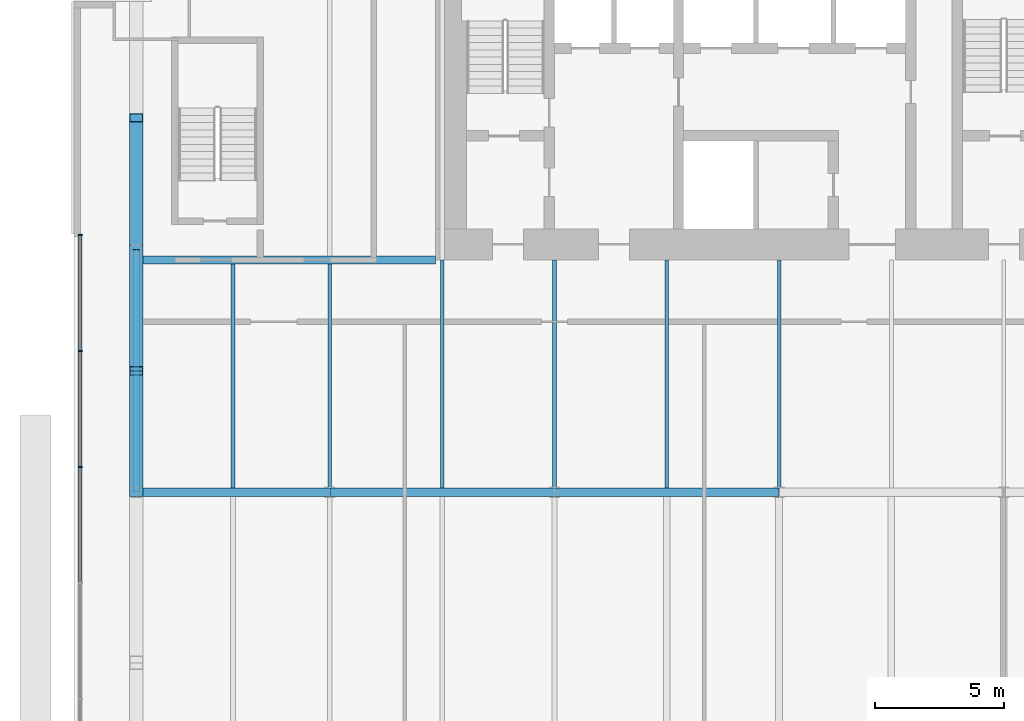
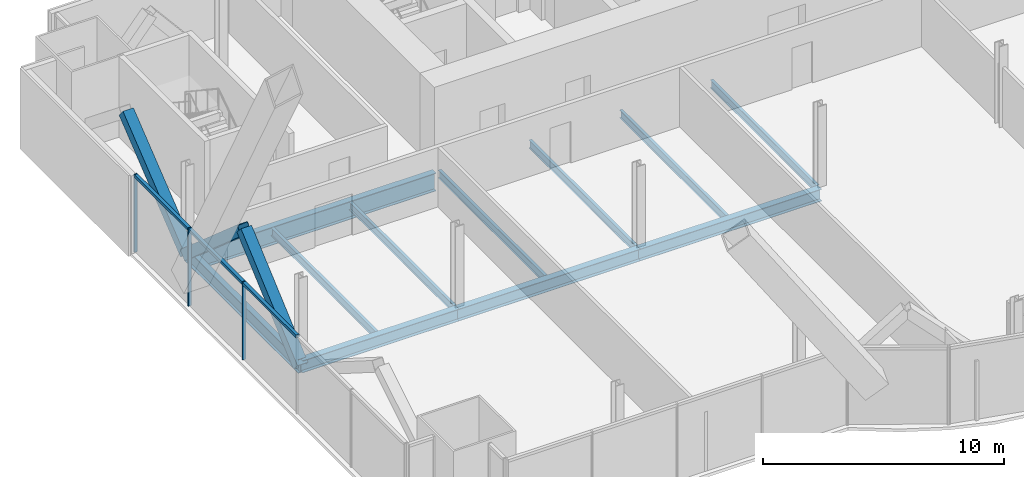
# One storey, part 7 of 23: 11 beams, 9 members, 1 element without a shape of its own.
"""IFC4 building model written with IfcOpenShell, lengths in metres."""

from ifc_helpers import new_model, si_unit, direction, frame, origin, origin_2d, place, context, subcontext, project, spatial, rectangle, hollow_rectangle, i_section, extrude, material, material_profile, profile_set, type_object, element, aggregate, save


model = new_model("IFC4")

# Units and contexts
model_context = context("Model", 3, precision=1e-05, world=origin(), true_north=direction((0.0, 1.0)))
body_context = subcontext(model_context, "Body", "Model", "MODEL_VIEW")
ifc_project = project(units=[si_unit("LENGTHUNIT", "METRE"), si_unit("AREAUNIT", "SQUARE_METRE"), si_unit("VOLUMEUNIT", "CUBIC_METRE"), si_unit("PLANEANGLEUNIT", "RADIAN"), si_unit("MASSUNIT", "GRAM", prefix="KILO")], contexts=[model_context])

# Site, building, storey
site_placement = place(None, origin())
site = spatial("IfcSite", under=ifc_project, at=site_placement, CompositionType="ELEMENT")
building_placement = place(site_placement, origin())
building = spatial("IfcBuilding", under=site, at=building_placement, Name="Bicima Exchange Tower", CompositionType="ELEMENT")
storey_placement = place(building_placement, frame((0.0, 0.0, 110.39990234375)))
storey = spatial("IfcBuildingStorey", under=building, at=storey_placement, Name="L23", CompositionType="ELEMENT", Elevation=110.39990234375)

# Beam
ifc_material_1 = material(Name="Steel ASTM A992 Gr 50", Category="steel")
ifc_material_profile_1 = material_profile(ifc_material_1, i_section(OverallWidth=0.3046875, OverallDepth=0.911865234375, WebThickness=0.015869140625, FlangeThickness=0.02392578125, at=origin_2d()))
ifc_profile_set_1 = profile_set([ifc_material_profile_1], Name="Steel ASTM A992 Gr 50")
beam_type_1 = type_object("IfcBeamType", Name="Core-line girder W36x150", PredefinedType="BEAM", material=ifc_profile_set_1)
beam_1_placement = place(storey_placement, frame((-22.0, -13.0, -0.605712890625), z_axis=(-1.0, 0.0, 0.0), x_axis=(0.0, -1.0, 0.0)))
element("IfcBeam", 1, at=beam_1_placement, inside=storey, type_object=beam_type_1, Name="Core-line girder", PredefinedType="BEAM", context=body_context, shape_type="SweptSolid", body=[
    extrude(i_section(OverallWidth=0.3046875, OverallDepth=0.911865234375, WebThickness=0.015869140625, FlangeThickness=0.02392578125, at=origin_2d()), origin(), (0.0, 0.0, 1.0), 11.60009765625),
])

# Curtain wall, members
ifc_material_2 = material(Name="Anodised bronze aluminium", Category="aluminium")
curtain_wall_type = type_object("IfcCurtainWallType", Name="End face glass wall", PredefinedType="NOTDEFINED", material=ifc_material_2)
curtain_wall_placement = place(storey_placement, origin())
curtain_wall = element("IfcCurtainWall", 2, at=curtain_wall_placement, inside=storey, type_object=curtain_wall_type, Name="End face glass wall L23 run 2", PredefinedType="NOTDEFINED")
ifc_material_profile_2 = material_profile(ifc_material_2, rectangle(XDim=0.159912109375, YDim=0.06005859375, at=origin_2d()))
ifc_profile_set_2 = profile_set([ifc_material_profile_2], Name="Anodised bronze aluminium")
member_type_1 = type_object("IfcMemberType", Name="End face glass wall mullion 60 x 160", PredefinedType="MULLION", material=ifc_profile_set_2)
member_1_placement = place(storey_placement, frame((-35.77001953125, -12.030029296875, 0.0), z_axis=(0.0, 0.0, 1.0), x_axis=(1.0, 0.0, 0.0)))
member_1 = element("IfcMember", 3, at=member_1_placement, type_object=member_type_1, Name="End face glass wall mullion 1", PredefinedType="MULLION", context=body_context, shape_type="SweptSolid", body=[
    extrude(rectangle(XDim=0.159912109375, YDim=0.06005859375, at=origin_2d()), origin(), (0.0, 0.0, 1.0), 3.9501953125),
])
member_2_placement = place(storey_placement, frame((-35.77001953125, -16.5263671875, 0.0), z_axis=(0.0, 0.0, 1.0), x_axis=(1.0, 0.0, 0.0)))
member_2 = element("IfcMember", 4, at=member_2_placement, type_object=member_type_1, Name="End face glass wall mullion 2", PredefinedType="MULLION", context=body_context, shape_type="SweptSolid", body=[
    extrude(rectangle(XDim=0.159912109375, YDim=0.06005859375, at=origin_2d()), origin(), (0.0, 0.0, 1.0), 3.9501953125),
])
member_3_placement = place(storey_placement, frame((-35.77001953125, -21.022705078125, 0.0), z_axis=(0.0, 0.0, 1.0), x_axis=(1.0, 0.0, 0.0)))
member_3 = element("IfcMember", 5, at=member_3_placement, type_object=member_type_1, Name="End face glass wall mullion 3", PredefinedType="MULLION", context=body_context, shape_type="SweptSolid", body=[
    extrude(rectangle(XDim=0.159912109375, YDim=0.06005859375, at=origin_2d()), origin(), (0.0, 0.0, 1.0), 3.9501953125),
])
ifc_material_profile_3 = material_profile(ifc_material_2, rectangle(XDim=0.159912109375, YDim=0.139892578125, at=origin_2d()))
ifc_profile_set_3 = profile_set([ifc_material_profile_3], Name="Anodised bronze aluminium")
member_type_2 = type_object("IfcMemberType", Name="End face glass wall transom 140 x 160", PredefinedType="USERDEFINED", material=ifc_profile_set_3)
member_4_placement = place(storey_placement, frame((-35.77001953125, -12.06005859375, 3.880126953125), z_axis=(0.0, -1.0, 0.0), x_axis=(1.0, 0.0, 0.0)))
member_4 = element("IfcMember", 6, at=member_4_placement, type_object=member_type_2, Name="End face glass wall transom 1.1", ObjectType="TRANSOM", PredefinedType="USERDEFINED", context=body_context, shape_type="SweptSolid", body=[
    extrude(rectangle(XDim=0.159912109375, YDim=0.139892578125, at=origin_2d()), origin(), (0.0, 0.0, 1.0), 4.436279296875),
])
member_5_placement = place(storey_placement, frame((-35.77001953125, -16.556396484375, 3.880126953125), z_axis=(0.0, -1.0, 0.0), x_axis=(1.0, 0.0, 0.0)))
member_5 = element("IfcMember", 7, at=member_5_placement, type_object=member_type_2, Name="End face glass wall transom 2.1", ObjectType="TRANSOM", PredefinedType="USERDEFINED", context=body_context, shape_type="SweptSolid", body=[
    extrude(rectangle(XDim=0.159912109375, YDim=0.139892578125, at=origin_2d()), origin(), (0.0, 0.0, 1.0), 4.4365234375),
])
member_6_placement = place(storey_placement, frame((-35.77001953125, -21.052734375, 3.880126953125), z_axis=(0.0, -1.0, 0.0), x_axis=(1.0, 0.0, 0.0)))
member_6 = element("IfcMember", 8, at=member_6_placement, type_object=member_type_2, Name="End face glass wall transom 3.1", ObjectType="TRANSOM", PredefinedType="USERDEFINED", context=body_context, shape_type="SweptSolid", body=[
    extrude(rectangle(XDim=0.159912109375, YDim=0.139892578125, at=origin_2d()), origin(), (0.0, 0.0, 1.0), 4.4365234375),
])
aggregate(curtain_wall, [member_1, member_2, member_3, member_4, member_5, member_6])

# Beams
ifc_material_profile_4 = material_profile(ifc_material_1, i_section(OverallWidth=0.256591796875, OverallDepth=0.693359375, WebThickness=0.014404296875, FlangeThickness=0.023681640625, at=origin_2d()))
ifc_profile_set_4 = profile_set([ifc_material_profile_4], Name="Steel ASTM A992 Gr 50")
beam_type_2 = type_object("IfcBeamType", Name="End girder W27x114", PredefinedType="BEAM", material=ifc_profile_set_4)
beam_2_placement = place(storey_placement, frame((-33.60009765625, -12.60009765625, -0.49658203125), z_axis=(0.0, -1.0, 0.0), x_axis=(1.0, 0.0, 0.0)))
element("IfcBeam", 9, at=beam_2_placement, inside=storey, type_object=beam_type_2, Name="End girder", PredefinedType="BEAM", context=body_context, shape_type="SweptSolid", body=[
    extrude(i_section(OverallWidth=0.256591796875, OverallDepth=0.693359375, WebThickness=0.014404296875, FlangeThickness=0.023681640625, at=origin_2d()), origin(), (0.0, 0.0, 1.0), 9.39990234375),
])
ifc_material_profile_5 = material_profile(ifc_material_1, i_section(OverallWidth=0.140380859375, OverallDepth=0.40380859375, WebThickness=0.007080078125, FlangeThickness=0.01123046875, at=origin_2d()))
ifc_profile_set_5 = profile_set([ifc_material_profile_5], Name="Steel ASTM A992 Gr 50")
beam_type_3 = type_object("IfcBeamType", Name="Floor beam W16x31", PredefinedType="JOIST", material=ifc_profile_set_5)
for number, where, z_axis, x_axis, name in (
    (10, (-29.85009765625, -13.15234375, -0.351806640625), (0.0, -1.0, 0.0), (1.0, 0.0, 0.0), "Floor beam"),
    (11, (-26.10009765625, -13.15234375, -0.351806640625), (0.0, -1.0, 0.0), (1.0, 0.0, 0.0), "Floor beam"),
):
    element("IfcBeam", number, at=place(storey_placement, frame(where, z_axis=z_axis, x_axis=x_axis)), inside=storey, type_object=beam_type_3, Name=name, PredefinedType="JOIST", context=body_context, shape_type="SweptSolid", body=[
        extrude(i_section(OverallWidth=0.140380859375, OverallDepth=0.40380859375, WebThickness=0.007080078125, FlangeThickness=0.01123046875, at=origin_2d()), origin(), (0.0, 0.0, 1.0), 8.68505859375),
    ])
for number, where, z_axis, x_axis, name in (
    (12, (-21.75, -13.0, -0.351806640625), (0.0, -1.0, 0.0), (1.0, 0.0, 0.0), "Floor beam"),
    (13, (-17.39990234375, -13.0, -0.351806640625), (0.0, -1.0, 0.0), (1.0, 0.0, 0.0), "Floor beam"),
    (14, (-13.050048828125, -13.0, -0.351806640625), (0.0, -1.0, 0.0), (1.0, 0.0, 0.0), "Floor beam"),
    (15, (-8.699951171875, -13.0, -0.351806640625), (0.0, -1.0, 0.0), (1.0, 0.0, 0.0), "Floor beam"),
):
    element("IfcBeam", number, at=place(storey_placement, frame(where, z_axis=z_axis, x_axis=x_axis)), inside=storey, type_object=beam_type_3, Name=name, PredefinedType="JOIST", context=body_context, shape_type="SweptSolid", body=[
        extrude(i_section(OverallWidth=0.140380859375, OverallDepth=0.40380859375, WebThickness=0.007080078125, FlangeThickness=0.01123046875, at=origin_2d()), origin(), (0.0, 0.0, 1.0), 8.83740234375),
    ])

# Members
ifc_material_3 = material(Name="Steel ASTM A572 Gr 50", Category="steel")
ifc_material_profile_6 = material_profile(ifc_material_3, hollow_rectangle(XDim=0.508056640625, YDim=0.508056640625, WallThickness=0.0146484375, at=origin_2d()))
ifc_profile_set_6 = profile_set([ifc_material_profile_6], Name="Steel ASTM A572 Gr 50")
member_type_3 = type_object("IfcMemberType", Name="Mega brace HSS20x20x5/8", PredefinedType="BRACE", material=ifc_profile_set_6)
member_7_placement = place(storey_placement, frame((-33.60009765625, -12.60009765625, -0.49658203125), z_axis=(0.0, 0.779374241895, 0.626558689247), x_axis=(-1.0, 0.0, 0.0)))
element("IfcMember", 16, at=member_7_placement, inside=storey, type_object=member_type_3, Name="Mega brace west end", PredefinedType="BRACE", context=body_context, shape_type="SweptSolid", body=[
    extrude(hollow_rectangle(XDim=0.508056640625, YDim=0.508056640625, WallThickness=0.0146484375, at=origin_2d()), origin(), (0.0, 0.0, 1.0), 6.5439453125),
])
for number, where, z_axis, x_axis, name in (
    (17, (-33.60009765625, -12.60009765625, -0.49658203125), (0.0, -0.753557917662, 0.657381521439), (1.0, 0.0, 0.0), "Mega brace west end"),
    (18, (-33.60009765625, -22.0, -0.49658203125), (0.0, 0.753557917662, 0.657381521439), (-1.0, 0.0, 0.0), "Mega brace west end"),
):
    element("IfcMember", number, at=place(storey_placement, frame(where, z_axis=z_axis, x_axis=x_axis)), inside=storey, type_object=member_type_3, Name=name, PredefinedType="BRACE", context=body_context, shape_type="SweptSolid", body=[
        extrude(hollow_rectangle(XDim=0.508056640625, YDim=0.508056640625, WallThickness=0.0146484375, at=origin_2d()), origin(), (0.0, 0.0, 1.0), 6.237060546875),
    ])

# Beams
ifc_material_profile_7 = material_profile(ifc_material_1, i_section(OverallWidth=0.3251953125, OverallDepth=0.612060546875, WebThickness=0.0126953125, FlangeThickness=0.01904296875, at=origin_2d()))
ifc_profile_set_7 = profile_set([ifc_material_profile_7], Name="Steel ASTM A992 Gr 50")
beam_type_4 = type_object("IfcBeamType", Name="Row girder W24x104", PredefinedType="BEAM", material=ifc_profile_set_7)
beam_3_placement = place(storey_placement, frame((-33.60009765625, -22.0, -0.4560546875), z_axis=(1.0, 0.0, 0.0), x_axis=(0.0, 1.0, 0.0)))
element("IfcBeam", 19, at=beam_3_placement, inside=storey, type_object=beam_type_4, Name="Row girder", PredefinedType="BEAM", context=body_context, shape_type="SweptSolid", body=[
    extrude(i_section(OverallWidth=0.3251953125, OverallDepth=0.612060546875, WebThickness=0.0126953125, FlangeThickness=0.01904296875, at=origin_2d()), origin(), (0.0, 0.0, 1.0), 7.5),
])
beam_4_placement = place(storey_placement, frame((-26.10009765625, -22.0, -0.4560546875), z_axis=(1.0, 0.0, 0.0), x_axis=(0.0, 1.0, 0.0)))
element("IfcBeam", 20, at=beam_4_placement, inside=storey, type_object=beam_type_4, Name="Row girder", PredefinedType="BEAM", context=body_context, shape_type="SweptSolid", body=[
    extrude(i_section(OverallWidth=0.3251953125, OverallDepth=0.612060546875, WebThickness=0.0126953125, FlangeThickness=0.01904296875, at=origin_2d()), origin(), (0.0, 0.0, 1.0), 8.7001953125),
])
beam_5_placement = place(storey_placement, frame((-17.39990234375, -22.0, -0.4560546875), z_axis=(1.0, 0.0, 0.0), x_axis=(0.0, 1.0, 0.0)))
element("IfcBeam", 21, at=beam_5_placement, inside=storey, type_object=beam_type_4, Name="Row girder", PredefinedType="BEAM", context=body_context, shape_type="SweptSolid", body=[
    extrude(i_section(OverallWidth=0.3251953125, OverallDepth=0.612060546875, WebThickness=0.0126953125, FlangeThickness=0.01904296875, at=origin_2d()), origin(), (0.0, 0.0, 1.0), 8.699951171875),
])

save(model, "model.ifc")
